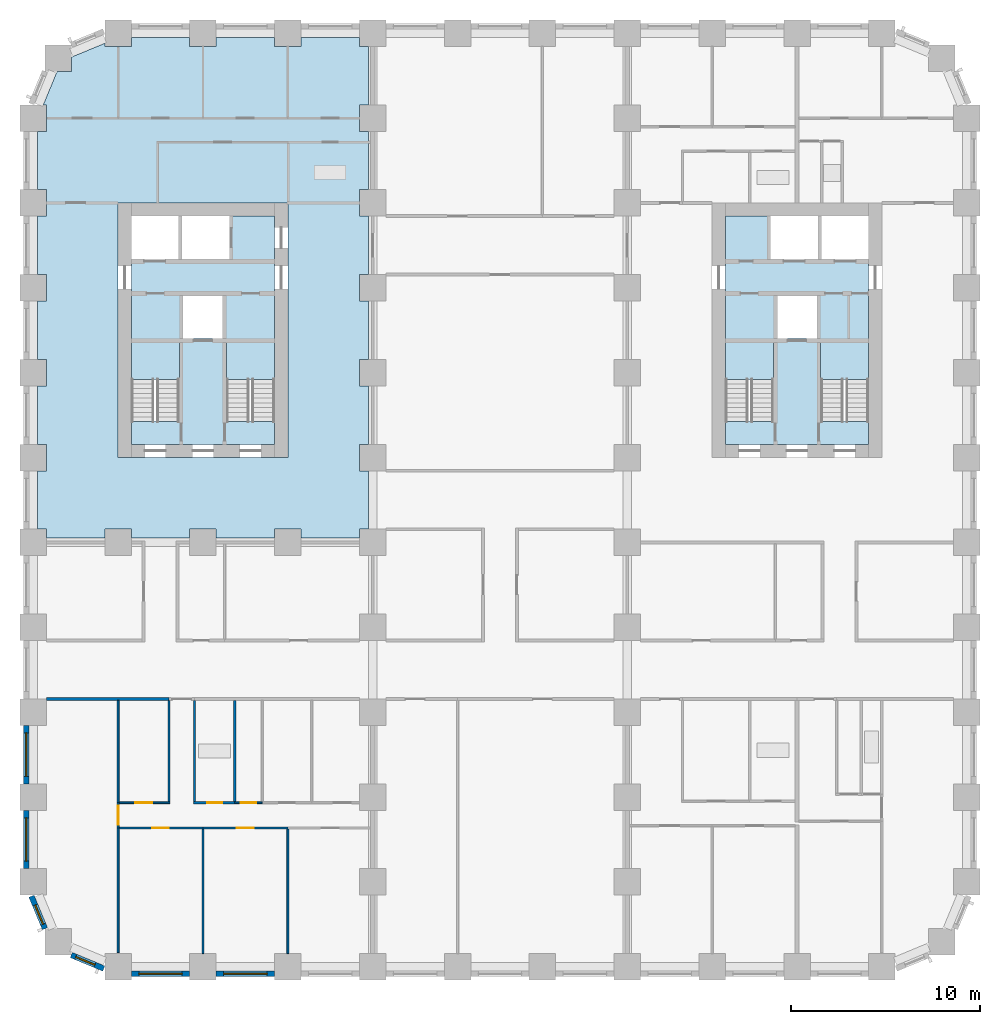
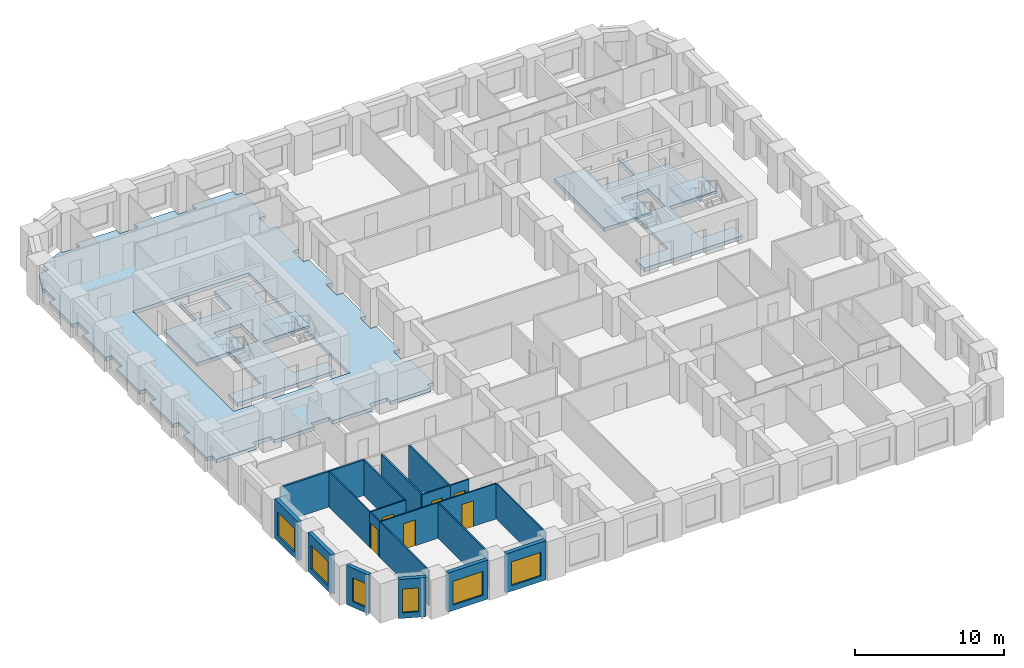
# One storey, part 2 of 12: 20 walls, 7 slabs, 6 doors, 6 windows, 12 openings, 4 elements without a shape of their own.
"""IFC4 building model written with IfcOpenShell, lengths in metres."""

import ifcopenshell
import ifcopenshell.guid

model = None  # the IFC model being written
_history = None  # IfcOwnerHistory: only IFC2X3 demands one
_inside = {}  # id of a spatial element -> (the spatial element, [elements in it])
_under = {}  # id of a project, library or spatial element -> (it, [spatial elements below it])
_declared = {}  # id of a project -> (the project, [libraries it declares])
_typed = {}  # id of a type object -> (the type object, [elements of that type])
_made_of = {}  # id of a material, layer set ... -> (it, [elements and type objects made of it])


def new_model(schema):
    """Start an empty IFC model of exactly this schema.

    Asked for "IFC4X3", IfcOpenShell would pick the latest addendum, in which some entities
    have other attributes; the version numbers below select the first issue.
    IFC2X3 requires an IfcOwnerHistory on every rooted entity: one is made here for all.
    """
    global model, _history
    if schema == "IFC4X3":
        model = ifcopenshell.file(schema_version=(4, 3, 0, 0))
    else:
        model = ifcopenshell.file(schema=schema)
    _inside.clear()
    _under.clear()
    _declared.clear()
    _typed.clear()
    _made_of.clear()
    _history = None
    if model.schema == "IFC2X3":
        org = make("IfcOrganization", Name="unknown")
        user = make(
            "IfcPersonAndOrganization",
            ThePerson=make("IfcPerson", FamilyName="unknown"),
            TheOrganization=org,
        )
        app = make(
            "IfcApplication",
            ApplicationDeveloper=org,
            Version="unknown",
            ApplicationFullName="unknown",
            ApplicationIdentifier="unknown",
        )
        _history = make(
            "IfcOwnerHistory",
            OwningUser=user,
            OwningApplication=app,
            ChangeAction="ADDED",
            CreationDate=0,
        )
    return model


def make(cls, **values):
    """One entity of the class cls with the attributes given. An attribute that is None is left unset."""
    return model.create_entity(
        cls, **{name: value for name, value in values.items() if value is not None}
    )


def rooted(cls, **values):
    """An entity with a GlobalId (a new one), such as an element, a storey or a relation."""
    return make(cls, GlobalId=ifcopenshell.guid.new(), OwnerHistory=_history, **values)


def si_unit(unit_type, name, prefix=None):
    """IfcSIUnit, for example si_unit("LENGTHUNIT", "METRE", prefix="MILLI")."""
    return make("IfcSIUnit", UnitType=unit_type, Prefix=prefix, Name=name)


def assignment(units):
    """IfcUnitAssignment: the units of a project."""
    return None if units is None else make("IfcUnitAssignment", Units=units)


def point(xyz):
    """IfcCartesianPoint."""
    return None if xyz is None else make("IfcCartesianPoint", Coordinates=xyz)


def direction(xyz):
    """IfcDirection."""
    return None if xyz is None else make("IfcDirection", DirectionRatios=xyz)


def frame(location, z_axis=None, x_axis=None):
    """IfcAxis2Placement3D, a coordinate frame: its origin and axes. An axis left out is left unset."""
    return make(
        "IfcAxis2Placement3D",
        Location=point(location),
        Axis=direction(z_axis),
        RefDirection=direction(x_axis),
    )


def frame_2d(location, x_axis=None):
    """IfcAxis2Placement2D, a coordinate frame in the plane: its origin and x axis."""
    return make(
        "IfcAxis2Placement2D", Location=point(location), RefDirection=direction(x_axis)
    )


def origin():
    """The frame at (0, 0, 0) with its axes left unset."""
    return frame((0.0, 0.0, 0.0))


def place(relative_to, where):
    """IfcLocalPlacement: puts the frame where relative to a parent placement (None: the world)."""
    return make(
        "IfcLocalPlacement", PlacementRelTo=relative_to, RelativePlacement=where
    )


def context(
    kind, dimensions, precision=None, world=None, true_north=None, identifier=None
):
    """IfcGeometricRepresentationContext, for example the 3D "Model" context."""
    return make(
        "IfcGeometricRepresentationContext",
        ContextIdentifier=identifier,
        ContextType=kind,
        CoordinateSpaceDimension=dimensions,
        Precision=precision,
        WorldCoordinateSystem=world,
        TrueNorth=true_north,
    )


def subcontext(parent, identifier, kind, view, scale=None):
    """IfcGeometricRepresentationSubContext, for example "Body" below "Model"."""
    return make(
        "IfcGeometricRepresentationSubContext",
        ContextIdentifier=identifier,
        ContextType=kind,
        ParentContext=parent,
        TargetScale=scale,
        TargetView=view,
    )


def project(units=None, contexts=None):
    """IfcProject with its units and contexts."""
    return rooted(
        "IfcProject",
        Name="project",
        RepresentationContexts=contexts,
        UnitsInContext=assignment(units),
    )


def spatial(cls, under=None, at=None, **own):
    """A site, building, storey or space (cls), placed at a placement, below another one or the project."""
    s = rooted(cls, ObjectPlacement=at, **own)
    if under is not None:
        _under.setdefault(under.id(), (under, []))[1].append(s)
    return s


def polyline(points):
    """IfcPolyline through the points."""
    return make("IfcPolyline", Points=[point(p) for p in points])


def profile(cls, at=None, kind="AREA", **sizes):
    """A parametric profile (cls). Its sizes go by their IFC names, for example OverallWidth=200.0."""
    return make(cls, ProfileType=kind, Position=at, **sizes)


def rectangle(**sizes):
    """IfcRectangleProfileDef."""
    return profile("IfcRectangleProfileDef", **sizes)


def outline(outer, holes=None, kind="AREA"):
    """IfcArbitraryClosedProfileDef: a profile drawn as a closed curve; with holes, ...WithVoids."""
    if holes is None:
        return make("IfcArbitraryClosedProfileDef", ProfileType=kind, OuterCurve=outer)
    return make(
        "IfcArbitraryProfileDefWithVoids",
        ProfileType=kind,
        OuterCurve=outer,
        InnerCurves=holes,
    )


def extrude(swept, where, along, depth):
    """IfcExtrudedAreaSolid: the profile swept, set in the frame where, extruded along a direction by depth."""
    return make(
        "IfcExtrudedAreaSolid",
        SweptArea=swept,
        Position=where,
        ExtrudedDirection=direction(along),
        Depth=depth,
    )


def shape(context_of_items, identifier, shape_type, items):
    """IfcShapeRepresentation: the items that make up one representation, for example the "Body"."""
    return make(
        "IfcShapeRepresentation",
        ContextOfItems=context_of_items,
        RepresentationIdentifier=identifier,
        RepresentationType=shape_type,
        Items=items,
    )


def material(Name=None, Category=None):
    """IfcMaterial."""
    return make("IfcMaterial", Name=Name, Category=Category)


def layer(
    of_material, thickness, ventilated=None, Name=None, Category=None, Priority=None
):
    """IfcMaterialLayer: one layer of a wall or slab, of a material (None: an air gap)."""
    return make(
        "IfcMaterialLayer",
        Material=of_material,
        LayerThickness=thickness,
        IsVentilated=ventilated,
        Name=Name,
        Category=Category,
        Priority=Priority,
    )


def layer_set(layers, Name=None):
    """IfcMaterialLayerSet."""
    return make("IfcMaterialLayerSet", MaterialLayers=layers, LayerSetName=Name)


def made_of(thing, what):
    """Note that an element or type object is made of a material, layer set ...; save() writes the relation."""
    if what is not None:
        _made_of.setdefault(what.id(), (what, []))[1].append(thing)
    return thing


def type_object(cls, material=None, **own):
    """A type object (cls), such as IfcWallType, which elements share."""
    return made_of(rooted(cls, **own), material)


def element(
    cls,
    number,
    at=None,
    inside=None,
    cuts=None,
    type_object=None,
    material=None,
    context=None,
    identifier="Body",
    shape_type=None,
    held_by="IfcProductDefinitionShape",
    body=None,
    shapes=None,
    **own,
):
    """One element of the class cls, such as IfcWall. Its Tag is "e" and its number.

    at: its placement. inside: the storey or other place that contains it. cuts: it is an
    opening in that element (IfcRelVoidsElement). A single representation is given by context,
    identifier, shape_type and body (its items); several are given by shapes. held_by: the class
    of the entity that holds the representations. save() writes the other relations.
    """
    e = rooted(cls, Tag="e%d" % number, ObjectPlacement=at, **own)
    if body is not None:
        shapes = [shape(context, identifier, shape_type, body)]
    if shapes is not None:
        e.Representation = make(held_by, Representations=shapes)
    if inside is not None:
        _inside.setdefault(inside.id(), (inside, []))[1].append(e)
    if cuts is not None:
        rooted(
            "IfcRelVoidsElement", RelatingBuildingElement=cuts, RelatedOpeningElement=e
        )
    if type_object is not None:
        _typed.setdefault(type_object.id(), (type_object, []))[1].append(e)
    return made_of(e, material)


def fill(opening, filler):
    """IfcRelFillsElement: the door or window that sits in an opening."""
    return rooted(
        "IfcRelFillsElement",
        RelatingOpeningElement=opening,
        RelatedBuildingElement=filler,
    )


def aggregate(whole, parts):
    """IfcRelAggregates: a whole, such as a stair, and the parts it consists of."""
    return rooted("IfcRelAggregates", RelatingObject=whole, RelatedObjects=parts)


def save(model, path):
    """Write the relations noted so far, then the file.

    IfcRelAggregates (storeys below a building ...), IfcRelContainedInSpatialStructure (elements
    in a storey), IfcRelDefinesByType, IfcRelAssociatesMaterial and IfcRelDeclares: one each for
    every whole, place, type object, material and project.
    """
    for whole, parts in _under.values():
        aggregate(whole, parts)
    for where, things in _inside.values():
        rooted(
            "IfcRelContainedInSpatialStructure",
            RelatedElements=things,
            RelatingStructure=where,
        )
    for kind, things in _typed.values():
        rooted("IfcRelDefinesByType", RelatedObjects=things, RelatingType=kind)
    for what, things in _made_of.values():
        rooted("IfcRelAssociatesMaterial", RelatedObjects=things, RelatingMaterial=what)
    for by, libraries in _declared.values():
        rooted("IfcRelDeclares", RelatingContext=by, RelatedDefinitions=libraries)
    model.write(path)


model = new_model("IFC4")

# Units and contexts
model_context = context("Model", 3, precision=1e-05, world=origin(), true_north=direction((0.0, 1.0)))
body_context = subcontext(model_context, "Body", "Model", "MODEL_VIEW")
ifc_project = project(units=[si_unit("LENGTHUNIT", "METRE"), si_unit("AREAUNIT", "SQUARE_METRE"), si_unit("VOLUMEUNIT", "CUBIC_METRE"), si_unit("PLANEANGLEUNIT", "RADIAN"), si_unit("MASSUNIT", "GRAM", prefix="KILO")], contexts=[model_context])

# Site, building, storey
site_placement = place(None, origin())
site = spatial("IfcSite", under=ifc_project, at=site_placement, CompositionType="ELEMENT")
building_placement = place(site_placement, origin())
building = spatial("IfcBuilding", under=site, at=building_placement, Name="Girih Gate Residences", CompositionType="ELEMENT")
storey_placement = place(building_placement, frame((0.0, 0.0, 65.60009765625)))
storey = spatial("IfcBuildingStorey", under=building, at=storey_placement, Name="L17", CompositionType="ELEMENT", Elevation=65.60009765625)

# Slabs
ifc_material_1 = material(Name="Concrete C40/50", Category="concrete")
ifc_layer_1 = layer(ifc_material_1, 0.300048828125)
ifc_layer_set_1 = layer_set([ifc_layer_1], Name="Core floor slab 300")
slab_type_1 = type_object("IfcSlabType", Name="Core floor slab 300", PredefinedType="FLOOR", material=ifc_layer_set_1)
slab_1_placement = place(storey_placement, frame((0.0, 0.0, -0.300048828125)))
element("IfcSlab", 1, at=slab_1_placement, inside=storey, type_object=slab_type_1, Name="L17 W core floor", PredefinedType="FLOOR", context=body_context, shape_type="SweptSolid", body=[
    extrude(outline(polyline([(12.800048828125, 27.699951171875), (5.199951171875, 27.699951171875), (5.199951171875, 28.900634765625), (7.75, 28.900634765625), (7.75, 33.10009765625), (5.199951171875, 33.10009765625), (5.199951171875, 37.5), (7.699951171875, 37.5), (7.699951171875, 39.800048828125), (7.89990234375, 39.800048828125), (7.89990234375, 37.5), (10.39990234375, 37.5), (10.39990234375, 39.800048828125), (12.800048828125, 39.800048828125), (12.800048828125, 33.10009765625), (10.25, 33.10009765625), (10.25, 28.900634765625), (12.800048828125, 28.900634765625), (12.800048828125, 27.699951171875)]), holes=[polyline([(7.949951171875, 33.300048828125), (10.050048828125, 33.300048828125), (10.050048828125, 35.60009765625), (7.949951171875, 35.60009765625), (7.949951171875, 33.300048828125)])]), origin(), (0.0, 0.0, 1.0), 0.300048828125),
])
slab_2_placement = place(storey_placement, frame((0.0, 0.0, -0.300048828125)))
element("IfcSlab", 2, at=slab_2_placement, inside=storey, type_object=slab_type_1, Name="L17 E core floor", PredefinedType="FLOOR", context=body_context, shape_type="SweptSolid", body=[
    extrude(outline(polyline([(44.300048828125, 27.699951171875), (36.699951171875, 27.699951171875), (36.699951171875, 28.900634765625), (39.25, 28.900634765625), (39.25, 33.10009765625), (36.699951171875, 33.10009765625), (36.699951171875, 39.800048828125), (39.10009765625, 39.800048828125), (39.10009765625, 37.5), (41.60009765625, 37.5), (41.60009765625, 39.800048828125), (41.800048828125, 39.800048828125), (41.800048828125, 37.5), (44.300048828125, 37.5), (44.300048828125, 33.10009765625), (41.75, 33.10009765625), (41.75, 28.900634765625), (44.300048828125, 28.900634765625), (44.300048828125, 27.699951171875)]), holes=[polyline([(39.449951171875, 33.300048828125), (41.550048828125, 33.300048828125), (41.550048828125, 35.60009765625), (39.449951171875, 35.60009765625), (39.449951171875, 33.300048828125)])]), origin(), (0.0, 0.0, 1.0), 0.300048828125),
])
ifc_layer_2 = layer(ifc_material_1, 0.300048828125)
ifc_layer_set_2 = layer_set([ifc_layer_2], Name="Floor slab PT 300 Concrete C40/50")
slab_type_2 = type_object("IfcSlabType", Name="Floor slab PT 300 Concrete C40/50", PredefinedType="FLOOR", material=ifc_layer_set_2)
slab_3_placement = place(storey_placement, frame((0.0, 0.0, -0.300048828125)))
element("IfcSlab", 3, at=slab_3_placement, inside=storey, type_object=slab_type_2, Name="Floor slab L17 3", PredefinedType="FLOOR", context=body_context, shape_type="SweptSolid", body=[
    extrude(outline(polyline([(0.22509765625, 26.300048828125), (0.22509765625, 23.199951171875), (0.699951171875, 23.199951171875), (0.699951171875, 22.72509765625), (3.800048828125, 22.72509765625), (3.800048828125, 23.199951171875), (5.199951171875, 23.199951171875), (5.199951171875, 22.72509765625), (8.300048828125, 22.72509765625), (8.300048828125, 23.199951171875), (9.699951171875, 23.199951171875), (9.699951171875, 22.72509765625), (12.800048828125, 22.72509765625), (12.800048828125, 23.199951171875), (14.199951171875, 23.199951171875), (14.199951171875, 22.72509765625), (17.300048828125, 22.72509765625), (17.300048828125, 23.199951171875), (17.77490234375, 23.199951171875), (17.77490234375, 26.300048828125), (17.300048828125, 26.300048828125), (17.300048828125, 27.699951171875), (17.77490234375, 27.699951171875), (17.77490234375, 30.800048828125), (17.300048828125, 30.800048828125), (17.300048828125, 32.199951171875), (17.77490234375, 32.199951171875), (17.77490234375, 35.300048828125), (17.300048828125, 35.300048828125), (17.300048828125, 36.699951171875), (17.77490234375, 36.699951171875), (17.77490234375, 39.800048828125), (17.300048828125, 39.800048828125), (17.300048828125, 41.199951171875), (17.77490234375, 41.199951171875), (17.77490234375, 44.300048828125), (17.300048828125, 44.300048828125), (17.300048828125, 45.699951171875), (17.77490234375, 45.699951171875), (17.77490234375, 48.800048828125), (17.300048828125, 48.800048828125), (17.300048828125, 49.27490234375), (14.199951171875, 49.27490234375), (14.199951171875, 48.800048828125), (12.800048828125, 48.800048828125), (12.800048828125, 49.27490234375), (9.699951171875, 49.27490234375), (9.699951171875, 48.800048828125), (8.300048828125, 48.800048828125), (8.300048828125, 49.27490234375), (5.199951171875, 49.27490234375), (5.199951171875, 48.800048828125), (3.800048828125, 48.800048828125), (3.800048828125, 48.966552734375), (2.01806640625, 48.228271484375), (2.01806640625, 47.48193359375), (1.271728515625, 47.48193359375), (0.533447265625, 45.699951171875), (0.699951171875, 45.699951171875), (0.699951171875, 44.300048828125), (0.22509765625, 44.300048828125), (0.22509765625, 41.199951171875), (0.699951171875, 41.199951171875), (0.699951171875, 39.800048828125), (0.22509765625, 39.800048828125), (0.22509765625, 36.699951171875), (0.699951171875, 36.699951171875), (0.699951171875, 35.300048828125), (0.22509765625, 35.300048828125), (0.22509765625, 32.199951171875), (0.699951171875, 32.199951171875), (0.699951171875, 30.800048828125), (0.22509765625, 30.800048828125), (0.22509765625, 27.699951171875), (0.699951171875, 27.699951171875), (0.699951171875, 26.300048828125), (0.22509765625, 26.300048828125)]), holes=[polyline([(13.5, 40.5), (13.5, 27.0), (4.5, 27.0), (4.5, 40.5), (13.5, 40.5)])]), origin(), (0.0, 0.0, 1.0), 0.300048828125),
])

# Stair, slab
stair_type = type_object("IfcStairType", Name="Exit stair", PredefinedType="HALF_TURN_STAIR", material=ifc_material_1)
stair_1_placement = place(storey_placement, origin())
stair_1 = element("IfcStair", 4, at=stair_1_placement, inside=storey, type_object=stair_type, Name="L17 Exit Stair ST-W1", PredefinedType="HALF_TURN_STAIR")
ifc_layer_3 = layer(ifc_material_1, 0.199951171875)
ifc_layer_set_3 = layer_set([ifc_layer_3], Name="Stair landing 200")
slab_type_3 = type_object("IfcSlabType", Name="Stair landing 200", PredefinedType="LANDING", material=ifc_layer_set_3)
slab_4_placement = place(storey_placement, frame((0.0, 0.0, 1.39990234375)))
slab_4 = element("IfcSlab", 5, at=slab_4_placement, type_object=slab_type_3, Name="ST-W1 landing 1", PredefinedType="LANDING", context=body_context, shape_type="SweptSolid", body=[
    extrude(outline(polyline([(7.75, 31.14990234375), (7.75, 33.10009765625), (5.199951171875, 33.10009765625), (5.199951171875, 31.14990234375), (7.75, 31.14990234375)])), origin(), (0.0, 0.0, 1.0), 0.199951171875),
])
aggregate(stair_1, [slab_4])

stair_2_placement = place(storey_placement, origin())
stair_2 = element("IfcStair", 6, at=stair_2_placement, inside=storey, type_object=stair_type, Name="L17 Exit Stair ST-W2", PredefinedType="HALF_TURN_STAIR")
slab_5_placement = place(storey_placement, frame((0.0, 0.0, 1.39990234375)))
slab_5 = element("IfcSlab", 7, at=slab_5_placement, type_object=slab_type_3, Name="ST-W2 landing 1", PredefinedType="LANDING", context=body_context, shape_type="SweptSolid", body=[
    extrude(outline(polyline([(12.800048828125, 31.14990234375), (12.800048828125, 33.10009765625), (10.25, 33.10009765625), (10.25, 31.14990234375), (12.800048828125, 31.14990234375)])), origin(), (0.0, 0.0, 1.0), 0.199951171875),
])
aggregate(stair_2, [slab_5])

stair_3_placement = place(storey_placement, origin())
stair_3 = element("IfcStair", 8, at=stair_3_placement, inside=storey, type_object=stair_type, Name="L17 Exit Stair ST-E1", PredefinedType="HALF_TURN_STAIR")
slab_6_placement = place(storey_placement, frame((0.0, 0.0, 1.39990234375)))
slab_6 = element("IfcSlab", 9, at=slab_6_placement, type_object=slab_type_3, Name="ST-E1 landing 1", PredefinedType="LANDING", context=body_context, shape_type="SweptSolid", body=[
    extrude(outline(polyline([(44.300048828125, 31.14990234375), (44.300048828125, 33.10009765625), (41.75, 33.10009765625), (41.75, 31.14990234375), (44.300048828125, 31.14990234375)])), origin(), (0.0, 0.0, 1.0), 0.199951171875),
])
aggregate(stair_3, [slab_6])

stair_4_placement = place(storey_placement, origin())
stair_4 = element("IfcStair", 10, at=stair_4_placement, inside=storey, type_object=stair_type, Name="L17 Exit Stair ST-E2", PredefinedType="HALF_TURN_STAIR")
slab_7_placement = place(storey_placement, frame((0.0, 0.0, 1.39990234375)))
slab_7 = element("IfcSlab", 11, at=slab_7_placement, type_object=slab_type_3, Name="ST-E2 landing 1", PredefinedType="LANDING", context=body_context, shape_type="SweptSolid", body=[
    extrude(outline(polyline([(39.25, 31.14990234375), (39.25, 33.10009765625), (36.699951171875, 33.10009765625), (36.699951171875, 31.14990234375), (39.25, 31.14990234375)])), origin(), (0.0, 0.0, 1.0), 0.199951171875),
])
aggregate(stair_4, [slab_7])

# Walls
ifc_material_2 = material(Name="Gypsum board on steel studs", Category="steel")
ifc_layer_4 = layer(ifc_material_2, 0.14990234375)
ifc_layer_set_4 = layer_set([ifc_layer_4], Name="Compartment wall 150 mm")
wall_type_1 = type_object("IfcWallType", Name="Compartment wall 150 mm", PredefinedType="PARTITIONING", material=ifc_layer_set_4)
wall_1_placement = place(storey_placement, frame((0.699951171875, 14.199951171875, 0.0), z_axis=(0.0, 0.0, 1.0), x_axis=(1.0, 0.0, 0.0)))
element("IfcWall", 12, at=wall_1_placement, inside=storey, type_object=wall_type_1, Name="L17 partition", PredefinedType="PARTITIONING", context=body_context, shape_type="SweptSolid", body=[
    extrude(rectangle(XDim=6.5, YDim=0.14990234375, at=frame_2d((3.25, 0.0))), origin(), (0.0, 0.0, 1.0), 2.89990234375),
])
ifc_layer_5 = layer(ifc_material_2, 0.10009765625)
ifc_layer_set_5 = layer_set([ifc_layer_5], Name="Partition 100 mm")
wall_type_2 = type_object("IfcWallType", Name="Partition 100 mm", PredefinedType="PARTITIONING", material=ifc_layer_set_5)
wall_2_placement = place(storey_placement, frame((9.0, 0.699951171875, 0.0), z_axis=(0.0, 0.0, 1.0), x_axis=(0.0, 1.0, 0.0)))
element("IfcWall", 13, at=wall_2_placement, inside=storey, type_object=wall_type_2, Name="L17 partition", PredefinedType="PARTITIONING", context=body_context, shape_type="SweptSolid", body=[
    extrude(rectangle(XDim=6.610107421875, YDim=0.10009765625, at=frame_2d((3.30517578125, 0.0))), origin(), (0.0, 0.0, 1.0), 2.89990234375),
])

# Wall, opening, door
wall_3_placement = place(storey_placement, frame((9.0, 7.360107421875, 0.0), z_axis=(0.0, 0.0, 1.0), x_axis=(-1.0, 0.0, 0.0)))
wall_3 = element("IfcWall", 14, at=wall_3_placement, inside=storey, type_object=wall_type_2, Name="L17 partition", PredefinedType="PARTITIONING", context=body_context, shape_type="SweptSolid", body=[
    extrude(rectangle(XDim=4.449951171875, YDim=0.10009765625, at=frame_2d((2.22509765625, 0.0))), origin(), (0.0, 0.0, 1.0), 2.89990234375),
])
opening_1_placement = place(wall_3_placement, frame((1.800048828125, 0.0, 0.0)))
opening_1 = element("IfcOpeningElement", 15, at=opening_1_placement, cuts=wall_3, Name="Opening A17-002", PredefinedType="OPENING", context=body_context, shape_type="SweptSolid", body=[
    extrude(rectangle(XDim=0.89990234375, YDim=2.10009765625, at=frame_2d((0.449951171875, 1.050048828125))), frame((0.0, 0.06005859375, 0.0), z_axis=(0.0, -1.0, 0.0), x_axis=(1.0, 0.0, 0.0)), (0.0, 0.0, 1.0), 0.1201171875),
])
ifc_material_3 = material(Name="Timber", Category="wood")
door_type_1 = type_object("IfcDoorType", Name="Bedroom door 900x2100", OperationType="NOTDEFINED", PredefinedType="DOOR", material=ifc_material_3)
door_1_placement = place(opening_1_placement, origin())
door_1 = element("IfcDoor", 16, at=door_1_placement, inside=storey, type_object=door_type_1, Name="Door A17-002", OperationType="SINGLE_SWING_RIGHT", OverallHeight=2.10009765625, OverallWidth=0.89990234375, PredefinedType="DOOR", context=body_context, shape_type="SweptSolid", body=[
    extrude(rectangle(XDim=0.89990234375, YDim=2.10009765625, at=frame_2d((0.449951171875, 1.050048828125))), frame((0.0, 0.02490234375, 0.0), z_axis=(0.0, -1.0, 0.0), x_axis=(1.0, 0.0, 0.0)), (0.0, 0.0, 1.0), 0.050048828125),
])
fill(opening_1, door_1)

# Walls
wall_4_placement = place(storey_placement, frame((4.5, 0.757568359375, 0.0), z_axis=(0.0, 0.0, 1.0), x_axis=(0.0, 1.0, 0.0)))
element("IfcWall", 17, at=wall_4_placement, inside=storey, type_object=wall_type_2, Name="L17 partition", PredefinedType="PARTITIONING", context=body_context, shape_type="SweptSolid", body=[
    extrude(rectangle(XDim=6.6025390625, YDim=0.10009765625, at=frame_2d((3.30126953125, 0.0))), origin(), (0.0, 0.0, 1.0), 2.89990234375),
])
wall_5_placement = place(storey_placement, frame((13.5, 0.699951171875, 0.0), z_axis=(0.0, 0.0, 1.0), x_axis=(0.0, 1.0, 0.0)))
element("IfcWall", 18, at=wall_5_placement, inside=storey, type_object=wall_type_2, Name="L17 partition", PredefinedType="PARTITIONING", context=body_context, shape_type="SweptSolid", body=[
    extrude(rectangle(XDim=6.610107421875, YDim=0.10009765625, at=frame_2d((3.30517578125, 0.0))), origin(), (0.0, 0.0, 1.0), 2.89990234375),
])

# Wall, opening, door
wall_6_placement = place(storey_placement, frame((13.5, 7.360107421875, 0.0), z_axis=(0.0, 0.0, 1.0), x_axis=(-1.0, 0.0, 0.0)))
wall_6 = element("IfcWall", 19, at=wall_6_placement, inside=storey, type_object=wall_type_2, Name="L17 partition", PredefinedType="PARTITIONING", context=body_context, shape_type="SweptSolid", body=[
    extrude(rectangle(XDim=4.5, YDim=0.10009765625, at=frame_2d((2.25, 0.0))), origin(), (0.0, 0.0, 1.0), 2.89990234375),
])
opening_2_placement = place(wall_6_placement, frame((1.800048828125, 0.0, 0.0)))
opening_2 = element("IfcOpeningElement", 20, at=opening_2_placement, cuts=wall_6, Name="Opening A17-003", PredefinedType="OPENING", context=body_context, shape_type="SweptSolid", body=[
    extrude(rectangle(XDim=0.89990234375, YDim=2.10009765625, at=frame_2d((0.449951171875, 1.050048828125))), frame((0.0, 0.06005859375, 0.0), z_axis=(0.0, -1.0, 0.0), x_axis=(1.0, 0.0, 0.0)), (0.0, 0.0, 1.0), 0.1201171875),
])
door_2_placement = place(opening_2_placement, origin())
door_2 = element("IfcDoor", 21, at=door_2_placement, inside=storey, type_object=door_type_1, Name="Door A17-003", OperationType="SINGLE_SWING_LEFT", OverallHeight=2.10009765625, OverallWidth=0.89990234375, PredefinedType="DOOR", context=body_context, shape_type="SweptSolid", body=[
    extrude(rectangle(XDim=0.89990234375, YDim=2.10009765625, at=frame_2d((0.449951171875, 1.050048828125))), frame((0.0, 0.02490234375, 0.0), z_axis=(0.0, -1.0, 0.0), x_axis=(1.0, 0.0, 0.0)), (0.0, 0.0, 1.0), 0.050048828125),
])
fill(opening_2, door_2)

wall_7_placement = place(storey_placement, frame((4.550048828125, 8.699951171875, 0.0), z_axis=(0.0, 0.0, 1.0), x_axis=(1.0, 0.0, 0.0)))
wall_7 = element("IfcWall", 22, at=wall_7_placement, inside=storey, type_object=wall_type_2, Name="L17 partition", PredefinedType="PARTITIONING", context=body_context, shape_type="SweptSolid", body=[
    extrude(rectangle(XDim=2.699951171875, YDim=0.10009765625, at=frame_2d((1.35009765625, 0.0))), origin(), (0.0, 0.0, 1.0), 2.89990234375),
])
opening_3_placement = place(wall_7_placement, frame((0.85009765625, 0.0, 0.0)))
opening_3 = element("IfcOpeningElement", 23, at=opening_3_placement, cuts=wall_7, Name="Opening A17-006", PredefinedType="OPENING", context=body_context, shape_type="SweptSolid", body=[
    extrude(rectangle(XDim=0.89990234375, YDim=2.10009765625, at=frame_2d((0.449951171875, 1.050048828125))), frame((0.0, 0.06005859375, 0.0), z_axis=(0.0, -1.0, 0.0), x_axis=(1.0, 0.0, 0.0)), (0.0, 0.0, 1.0), 0.1201171875),
])
door_type_2 = type_object("IfcDoorType", Name="Kitchen door 900x2100", OperationType="NOTDEFINED", PredefinedType="DOOR", material=ifc_material_3)
door_3_placement = place(opening_3_placement, origin())
door_3 = element("IfcDoor", 24, at=door_3_placement, inside=storey, type_object=door_type_2, Name="Door A17-006", OperationType="SINGLE_SWING_LEFT", OverallHeight=2.10009765625, OverallWidth=0.89990234375, PredefinedType="DOOR", context=body_context, shape_type="SweptSolid", body=[
    extrude(rectangle(XDim=0.89990234375, YDim=2.10009765625, at=frame_2d((0.449951171875, 1.050048828125))), frame((0.0, 0.02490234375, 0.0), z_axis=(0.0, -1.0, 0.0), x_axis=(1.0, 0.0, 0.0)), (0.0, 0.0, 1.0), 0.050048828125),
])
fill(opening_3, door_3)

# Wall
wall_8_placement = place(storey_placement, frame((7.199951171875, 8.75, 0.0), z_axis=(0.0, 0.0, 1.0), x_axis=(0.0, 1.0, 0.0)))
element("IfcWall", 25, at=wall_8_placement, inside=storey, type_object=wall_type_2, Name="L17 partition", PredefinedType="PARTITIONING", context=body_context, shape_type="SweptSolid", body=[
    extrude(rectangle(XDim=5.375, YDim=0.10009765625, at=frame_2d((2.6875, 0.0))), origin(), (0.0, 0.0, 1.0), 2.89990234375),
])

# Wall, opening, door
wall_9_placement = place(storey_placement, frame((4.5, 7.360107421875, 0.0), z_axis=(0.0, 0.0, 1.0), x_axis=(0.0, 1.0, 0.0)))
wall_9 = element("IfcWall", 26, at=wall_9_placement, inside=storey, type_object=wall_type_2, Name="L17 partition", PredefinedType="PARTITIONING", context=body_context, shape_type="SweptSolid", body=[
    extrude(rectangle(XDim=1.33984375, YDim=0.10009765625, at=frame_2d((0.669921875, 0.0))), origin(), (0.0, 0.0, 1.0), 2.89990234375),
])
opening_4_placement = place(wall_9_placement, frame((0.169921875, 0.0, 0.0)))
opening_4 = element("IfcOpeningElement", 27, at=opening_4_placement, cuts=wall_9, Name="Opening A17-007", PredefinedType="OPENING", context=body_context, shape_type="SweptSolid", body=[
    extrude(rectangle(XDim=1.0, YDim=2.10009765625, at=frame_2d((0.5, 1.050048828125))), frame((0.0, 0.06005859375, 0.0), z_axis=(0.0, -1.0, 0.0), x_axis=(1.0, 0.0, 0.0)), (0.0, 0.0, 1.0), 0.1201171875),
])
door_type_3 = type_object("IfcDoorType", Name="Living room door 1000x2100", OperationType="NOTDEFINED", PredefinedType="DOOR", material=ifc_material_3)
door_4_placement = place(opening_4_placement, origin())
door_4 = element("IfcDoor", 28, at=door_4_placement, inside=storey, type_object=door_type_3, Name="Door A17-007", OperationType="SINGLE_SWING_LEFT", OverallHeight=2.10009765625, OverallWidth=1.0, PredefinedType="DOOR", context=body_context, shape_type="SweptSolid", body=[
    extrude(rectangle(XDim=1.0, YDim=2.10009765625, at=frame_2d((0.5, 1.050048828125))), frame((0.0, 0.02490234375, 0.0), z_axis=(0.0, -1.0, 0.0), x_axis=(1.0, 0.0, 0.0)), (0.0, 0.0, 1.0), 0.050048828125),
])
fill(opening_4, door_4)

wall_10_placement = place(storey_placement, frame((10.68359375, 8.699951171875, 0.0), z_axis=(0.0, 0.0, 1.0), x_axis=(1.0, 0.0, 0.0)))
wall_10 = element("IfcWall", 29, at=wall_10_placement, inside=storey, type_object=wall_type_2, Name="L17 partition", PredefinedType="PARTITIONING", context=body_context, shape_type="SweptSolid", body=[
    extrude(rectangle(XDim=1.459716796875, YDim=0.10009765625, at=frame_2d((0.72998046875, 0.0))), origin(), (0.0, 0.0, 1.0), 2.89990234375),
])
opening_5_placement = place(wall_10_placement, frame((0.329833984375, 0.0, 0.0)))
opening_5 = element("IfcOpeningElement", 30, at=opening_5_placement, cuts=wall_10, Name="Opening A17-008", PredefinedType="OPENING", context=body_context, shape_type="SweptSolid", body=[
    extrude(rectangle(XDim=0.800048828125, YDim=2.10009765625, at=frame_2d((0.39990234375, 1.050048828125))), frame((0.0, 0.06005859375, 0.0), z_axis=(0.0, -1.0, 0.0), x_axis=(1.0, 0.0, 0.0)), (0.0, 0.0, 1.0), 0.1201171875),
])
door_type_4 = type_object("IfcDoorType", Name="Store door 800x2100", OperationType="NOTDEFINED", PredefinedType="DOOR", material=ifc_material_3)
door_5_placement = place(opening_5_placement, origin())
door_5 = element("IfcDoor", 31, at=door_5_placement, inside=storey, type_object=door_type_4, Name="Door A17-008", OperationType="SINGLE_SWING_LEFT", OverallHeight=2.10009765625, OverallWidth=0.800048828125, PredefinedType="DOOR", context=body_context, shape_type="SweptSolid", body=[
    extrude(rectangle(XDim=0.800048828125, YDim=2.10009765625, at=frame_2d((0.39990234375, 1.050048828125))), frame((0.0, 0.02490234375, 0.0), z_axis=(0.0, -1.0, 0.0), x_axis=(1.0, 0.0, 0.0)), (0.0, 0.0, 1.0), 0.050048828125),
])
fill(opening_5, door_5)

# Wall
wall_11_placement = place(storey_placement, frame((4.5, 8.699951171875, 0.0), z_axis=(0.0, 0.0, 1.0), x_axis=(0.0, 1.0, 0.0)))
element("IfcWall", 32, at=wall_11_placement, inside=storey, type_object=wall_type_2, Name="L17 partition", PredefinedType="PARTITIONING", context=body_context, shape_type="SweptSolid", body=[
    extrude(rectangle(XDim=5.425048828125, YDim=0.10009765625, at=frame_2d((2.71240234375, 0.0))), origin(), (0.0, 0.0, 1.0), 2.89990234375),
])

# Wall, opening, window
ifc_material_4 = material(Name="Precast concrete C50/60", Category="concrete")
ifc_layer_6 = layer(ifc_material_4, 0.080078125, Name="Outer leaf")
ifc_material_5 = material(Name="Rigid PIR insulation")
ifc_layer_7 = layer(ifc_material_5, 0.14990234375, Name="Insulation")
ifc_material_6 = material(Name="Precast concrete C40/50", Category="concrete")
ifc_layer_8 = layer(ifc_material_6, 0.070068359375, Name="Inner leaf")
ifc_layer_set_6 = layer_set([ifc_layer_6, ifc_layer_7, ifc_layer_8], Name="Precast concrete C50/60 external wall 300")
wall_type_3 = type_object("IfcWallType", Name="Precast concrete C50/60 external wall 300", PredefinedType="SOLIDWALL", material=ifc_layer_set_6)
wall_12_placement = place(storey_placement, frame((0.62158203125, 2.01953125, 0.0), z_axis=(0.0, 0.0, 1.0), x_axis=(-0.38262540684, 0.923903565336, 0.0)))
wall_12 = element("IfcWall", 33, at=wall_12_placement, inside=storey, type_object=wall_type_3, Name="External wall SW0000_0045.0", PredefinedType="SOLIDWALL", context=body_context, shape_type="SweptSolid", body=[
    extrude(rectangle(XDim=1.864990234375, YDim=0.300048828125, at=frame_2d((0.9326171875, 0.0))), origin(), (0.0, 0.0, 1.0), 3.199951171875),
])
opening_6_placement = place(wall_12_placement, frame((0.257568359375, 0.0, 0.449951171875)))
opening_6 = element("IfcOpeningElement", 34, at=opening_6_placement, cuts=wall_12, Name="Opening W-2C", PredefinedType="OPENING", context=body_context, shape_type="SweptSolid", body=[
    extrude(rectangle(XDim=1.10009765625, YDim=1.949951171875, at=frame_2d((0.550048828125, 0.97509765625))), frame((0.0, 0.159912109375, 0.0), z_axis=(0.0, -1.0, 0.0), x_axis=(1.0, 0.0, 0.0)), (0.0, 0.0, 1.0), 0.320068359375),
])
ifc_material_7 = material(Name="Double glazing in aluminium frame", Category="aluminium")
window_type_1 = type_object("IfcWindowType", Name="Window W-2C 1100x1950", PartitioningType="SINGLE_PANEL", PredefinedType="WINDOW", material=ifc_material_7)
window_1_placement = place(opening_6_placement, origin())
window_1 = element("IfcWindow", 35, at=window_1_placement, inside=storey, type_object=window_type_1, Name="Window W-2C SW0000_0045.0", OverallHeight=1.949951171875, OverallWidth=1.10009765625, PartitioningType="SINGLE_PANEL", PredefinedType="WINDOW", context=body_context, shape_type="SweptSolid", body=[
    extrude(rectangle(XDim=1.10009765625, YDim=1.949951171875, at=frame_2d((0.550048828125, 0.97509765625))), frame((0.0, 0.030029296875, 0.0), z_axis=(0.0, -1.0, 0.0), x_axis=(1.0, 0.0, 0.0)), (0.0, 0.0, 1.0), 0.06005859375),
])
fill(opening_6, window_1)

wall_13_placement = place(storey_placement, frame((3.74267578125, -0.09228515625, 0.0), z_axis=(0.0, 0.0, 1.0), x_axis=(-0.923857286003, 0.382737135771, 0.0)))
wall_13 = element("IfcWall", 36, at=wall_13_placement, inside=storey, type_object=wall_type_3, Name="External wall SW0013_0013.0", PredefinedType="SOLIDWALL", context=body_context, shape_type="SweptSolid", body=[
    extrude(rectangle(XDim=1.865234375, YDim=0.300048828125, at=frame_2d((0.9326171875, 0.0))), origin(), (0.0, 0.0, 1.0), 3.199951171875),
])
opening_7_placement = place(wall_13_placement, frame((0.507568359375, 0.0, 0.449951171875)))
opening_7 = element("IfcOpeningElement", 37, at=opening_7_placement, cuts=wall_13, Name="Opening W-2C", PredefinedType="OPENING", context=body_context, shape_type="SweptSolid", body=[
    extrude(rectangle(XDim=1.10009765625, YDim=1.949951171875, at=frame_2d((0.550048828125, 0.97509765625))), frame((0.0, 0.159912109375, 0.0), z_axis=(0.0, -1.0, 0.0), x_axis=(1.0, 0.0, 0.0)), (0.0, 0.0, 1.0), 0.320068359375),
])
window_2_placement = place(opening_7_placement, origin())
window_2 = element("IfcWindow", 38, at=window_2_placement, inside=storey, type_object=window_type_1, Name="Window W-2C SW0013_0013.0", OverallHeight=1.949951171875, OverallWidth=1.10009765625, PartitioningType="SINGLE_PANEL", PredefinedType="WINDOW", context=body_context, shape_type="SweptSolid", body=[
    extrude(rectangle(XDim=1.10009765625, YDim=1.949951171875, at=frame_2d((0.550048828125, 0.97509765625))), frame((0.0, 0.030029296875, 0.0), z_axis=(0.0, -1.0, 0.0), x_axis=(1.0, 0.0, 0.0)), (0.0, 0.0, 1.0), 0.06005859375),
])
fill(opening_7, window_2)

wall_14_placement = place(storey_placement, frame((8.300048828125, -0.375, 0.0), z_axis=(0.0, 0.0, 1.0), x_axis=(-1.0, 0.0, 0.0)))
wall_14 = element("IfcWall", 39, at=wall_14_placement, inside=storey, type_object=wall_type_3, Name="External wall S0045_0000.0", PredefinedType="SOLIDWALL", context=body_context, shape_type="SweptSolid", body=[
    extrude(rectangle(XDim=3.10009765625, YDim=0.300048828125, at=frame_2d((1.550048828125, 0.0))), origin(), (0.0, 0.0, 1.0), 3.199951171875),
])
opening_8_placement = place(wall_14_placement, frame((0.39990234375, 0.0, 0.449951171875)))
opening_8 = element("IfcOpeningElement", 40, at=opening_8_placement, cuts=wall_14, Name="Opening W-1", PredefinedType="OPENING", context=body_context, shape_type="SweptSolid", body=[
    extrude(rectangle(XDim=2.300048828125, YDim=1.949951171875, at=frame_2d((1.14990234375, 0.97509765625))), frame((0.0, 0.159912109375, 0.0), z_axis=(0.0, -1.0, 0.0), x_axis=(1.0, 0.0, 0.0)), (0.0, 0.0, 1.0), 0.320068359375),
])
window_type_2 = type_object("IfcWindowType", Name="Window W-1 2300x1950", PartitioningType="SINGLE_PANEL", PredefinedType="WINDOW", material=ifc_material_7)
window_3_placement = place(opening_8_placement, origin())
window_3 = element("IfcWindow", 41, at=window_3_placement, inside=storey, type_object=window_type_2, Name="Window W-1 S0045_0000.0", OverallHeight=1.949951171875, OverallWidth=2.300048828125, PartitioningType="SINGLE_PANEL", PredefinedType="WINDOW", context=body_context, shape_type="SweptSolid", body=[
    extrude(rectangle(XDim=2.300048828125, YDim=1.949951171875, at=frame_2d((1.14990234375, 0.97509765625))), frame((0.0, 0.030029296875, 0.0), z_axis=(0.0, -1.0, 0.0), x_axis=(1.0, 0.0, 0.0)), (0.0, 0.0, 1.0), 0.06005859375),
])
fill(opening_8, window_3)

wall_15_placement = place(storey_placement, frame((12.800048828125, -0.375, 0.0), z_axis=(0.0, 0.0, 1.0), x_axis=(-1.0, 0.0, 0.0)))
wall_15 = element("IfcWall", 42, at=wall_15_placement, inside=storey, type_object=wall_type_3, Name="External wall S0045_0000.1", PredefinedType="SOLIDWALL", context=body_context, shape_type="SweptSolid", body=[
    extrude(rectangle(XDim=3.10009765625, YDim=0.300048828125, at=frame_2d((1.550048828125, 0.0))), origin(), (0.0, 0.0, 1.0), 3.199951171875),
])
opening_9_placement = place(wall_15_placement, frame((0.39990234375, 0.0, 0.449951171875)))
opening_9 = element("IfcOpeningElement", 43, at=opening_9_placement, cuts=wall_15, Name="Opening W-1", PredefinedType="OPENING", context=body_context, shape_type="SweptSolid", body=[
    extrude(rectangle(XDim=2.300048828125, YDim=1.949951171875, at=frame_2d((1.14990234375, 0.97509765625))), frame((0.0, 0.159912109375, 0.0), z_axis=(0.0, -1.0, 0.0), x_axis=(1.0, 0.0, 0.0)), (0.0, 0.0, 1.0), 0.320068359375),
])
window_4_placement = place(opening_9_placement, origin())
window_4 = element("IfcWindow", 44, at=window_4_placement, inside=storey, type_object=window_type_2, Name="Window W-1 S0045_0000.1", OverallHeight=1.949951171875, OverallWidth=2.300048828125, PartitioningType="SINGLE_PANEL", PredefinedType="WINDOW", context=body_context, shape_type="SweptSolid", body=[
    extrude(rectangle(XDim=2.300048828125, YDim=1.949951171875, at=frame_2d((1.14990234375, 0.97509765625))), frame((0.0, 0.030029296875, 0.0), z_axis=(0.0, -1.0, 0.0), x_axis=(1.0, 0.0, 0.0)), (0.0, 0.0, 1.0), 0.06005859375),
])
fill(opening_9, window_4)

wall_16_placement = place(storey_placement, frame((-0.375, 9.699951171875, 0.0), z_axis=(0.0, 0.0, 1.0), x_axis=(0.0, 1.0, 0.0)))
wall_16 = element("IfcWall", 45, at=wall_16_placement, inside=storey, type_object=wall_type_3, Name="External wall W0000_0450.7", PredefinedType="SOLIDWALL", context=body_context, shape_type="SweptSolid", body=[
    extrude(rectangle(XDim=3.10009765625, YDim=0.300048828125, at=frame_2d((1.550048828125, 0.0))), origin(), (0.0, 0.0, 1.0), 3.199951171875),
])
opening_10_placement = place(wall_16_placement, frame((0.39990234375, 0.0, 0.449951171875)))
opening_10 = element("IfcOpeningElement", 46, at=opening_10_placement, cuts=wall_16, Name="Opening W-1", PredefinedType="OPENING", context=body_context, shape_type="SweptSolid", body=[
    extrude(rectangle(XDim=2.300048828125, YDim=1.949951171875, at=frame_2d((1.14990234375, 0.97509765625))), frame((0.0, 0.159912109375, 0.0), z_axis=(0.0, -1.0, 0.0), x_axis=(1.0, 0.0, 0.0)), (0.0, 0.0, 1.0), 0.320068359375),
])
window_5_placement = place(opening_10_placement, origin())
window_5 = element("IfcWindow", 47, at=window_5_placement, inside=storey, type_object=window_type_2, Name="Window W-1 W0000_0450.7", OverallHeight=1.949951171875, OverallWidth=2.300048828125, PartitioningType="SINGLE_PANEL", PredefinedType="WINDOW", context=body_context, shape_type="SweptSolid", body=[
    extrude(rectangle(XDim=2.300048828125, YDim=1.949951171875, at=frame_2d((1.14990234375, 0.97509765625))), frame((0.0, 0.030029296875, 0.0), z_axis=(0.0, -1.0, 0.0), x_axis=(1.0, 0.0, 0.0)), (0.0, 0.0, 1.0), 0.06005859375),
])
fill(opening_10, window_5)

wall_17_placement = place(storey_placement, frame((-0.375, 5.199951171875, 0.0), z_axis=(0.0, 0.0, 1.0), x_axis=(0.0, 1.0, 0.0)))
wall_17 = element("IfcWall", 48, at=wall_17_placement, inside=storey, type_object=wall_type_3, Name="External wall W0000_0450.8", PredefinedType="SOLIDWALL", context=body_context, shape_type="SweptSolid", body=[
    extrude(rectangle(XDim=3.10009765625, YDim=0.300048828125, at=frame_2d((1.550048828125, 0.0))), origin(), (0.0, 0.0, 1.0), 3.199951171875),
])
opening_11_placement = place(wall_17_placement, frame((0.39990234375, 0.0, 0.449951171875)))
opening_11 = element("IfcOpeningElement", 49, at=opening_11_placement, cuts=wall_17, Name="Opening W-1", PredefinedType="OPENING", context=body_context, shape_type="SweptSolid", body=[
    extrude(rectangle(XDim=2.300048828125, YDim=1.949951171875, at=frame_2d((1.14990234375, 0.97509765625))), frame((0.0, 0.159912109375, 0.0), z_axis=(0.0, -1.0, 0.0), x_axis=(1.0, 0.0, 0.0)), (0.0, 0.0, 1.0), 0.320068359375),
])
window_6_placement = place(opening_11_placement, origin())
window_6 = element("IfcWindow", 50, at=window_6_placement, inside=storey, type_object=window_type_2, Name="Window W-1 W0000_0450.8", OverallHeight=1.949951171875, OverallWidth=2.300048828125, PartitioningType="SINGLE_PANEL", PredefinedType="WINDOW", context=body_context, shape_type="SweptSolid", body=[
    extrude(rectangle(XDim=2.300048828125, YDim=1.949951171875, at=frame_2d((1.14990234375, 0.97509765625))), frame((0.0, 0.030029296875, 0.0), z_axis=(0.0, -1.0, 0.0), x_axis=(1.0, 0.0, 0.0)), (0.0, 0.0, 1.0), 0.06005859375),
])
fill(opening_11, window_6)

# Wall, opening, door
ifc_layer_9 = layer(ifc_material_2, 0.125)
ifc_layer_set_7 = layer_set([ifc_layer_9], Name="Wet room wall 125 mm")
wall_type_4 = type_object("IfcWallType", Name="Wet room wall 125 mm", PredefinedType="PARTITIONING", material=ifc_layer_set_7)
wall_18_placement = place(storey_placement, frame((8.487548828125, 8.699951171875, 0.0), z_axis=(0.0, 0.0, 1.0), x_axis=(1.0, 0.0, 0.0)))
wall_18 = element("IfcWall", 51, at=wall_18_placement, inside=storey, type_object=wall_type_4, Name="L17 partition", PredefinedType="PARTITIONING", context=body_context, shape_type="SweptSolid", body=[
    extrude(rectangle(XDim=2.196044921875, YDim=0.125, at=frame_2d((1.09814453125, 0.0))), origin(), (0.0, 0.0, 1.0), 2.89990234375),
])
opening_12_placement = place(wall_18_placement, frame((0.729248046875, 0.0, 0.0)))
opening_12 = element("IfcOpeningElement", 52, at=opening_12_placement, cuts=wall_18, Name="Opening A17-001", PredefinedType="OPENING", context=body_context, shape_type="SweptSolid", body=[
    extrude(rectangle(XDim=0.800048828125, YDim=2.10009765625, at=frame_2d((0.39990234375, 1.050048828125))), frame((0.0, 0.072509765625, 0.0), z_axis=(0.0, -1.0, 0.0), x_axis=(1.0, 0.0, 0.0)), (0.0, 0.0, 1.0), 0.14501953125),
])
door_type_5 = type_object("IfcDoorType", Name="Bathroom door 800x2100", OperationType="NOTDEFINED", PredefinedType="DOOR", material=ifc_material_3)
door_6_placement = place(opening_12_placement, origin())
door_6 = element("IfcDoor", 53, at=door_6_placement, inside=storey, type_object=door_type_5, Name="Door A17-001", OperationType="SINGLE_SWING_RIGHT", OverallHeight=2.10009765625, OverallWidth=0.800048828125, PredefinedType="DOOR", context=body_context, shape_type="SweptSolid", body=[
    extrude(rectangle(XDim=0.800048828125, YDim=2.10009765625, at=frame_2d((0.39990234375, 1.050048828125))), frame((0.0, 0.02490234375, 0.0), z_axis=(0.0, -1.0, 0.0), x_axis=(1.0, 0.0, 0.0)), (0.0, 0.0, 1.0), 0.050048828125),
])
fill(opening_12, door_6)

# Walls
for number, where, z_axis, x_axis, name in (
    (54, (8.550048828125, 8.762451171875, 0.0), (0.0, 0.0, 1.0), (0.0, 1.0, 0.0), "L17 partition"),
    (55, (10.68408203125, 8.762451171875, 0.0), (0.0, 0.0, 1.0), (0.0, 1.0, 0.0), "L17 partition"),
):
    element("IfcWall", number, at=place(storey_placement, frame(where, z_axis=z_axis, x_axis=x_axis)), inside=storey, type_object=wall_type_4, Name=name, PredefinedType="PARTITIONING", context=body_context, shape_type="SweptSolid", body=[
        extrude(rectangle(XDim=5.362548828125, YDim=0.125, at=frame_2d((2.68115234375, 0.0))), origin(), (0.0, 0.0, 1.0), 2.89990234375),
    ])

save(model, "model.ifc")
